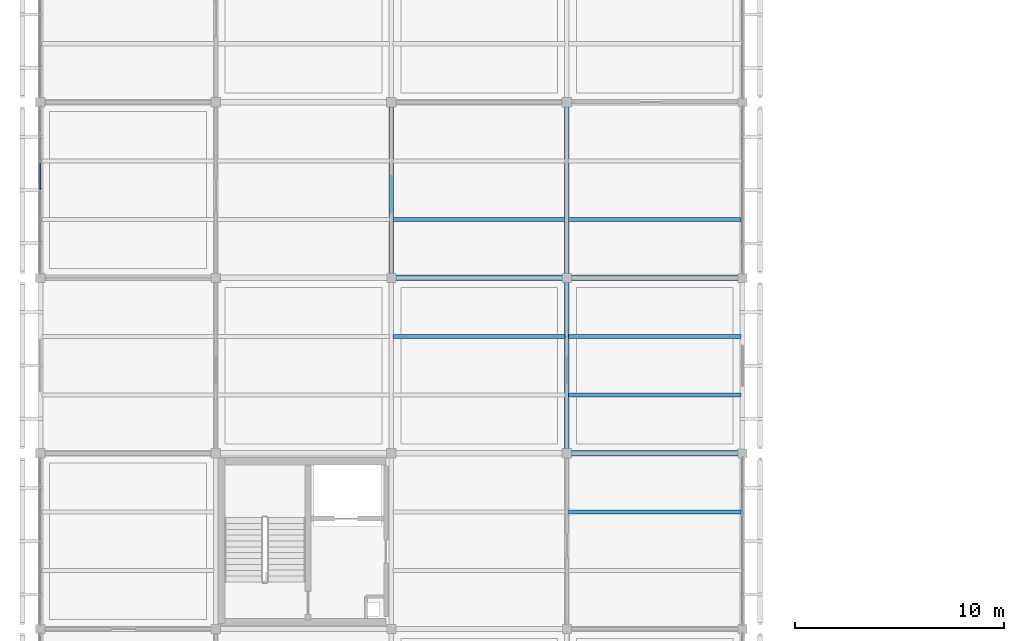
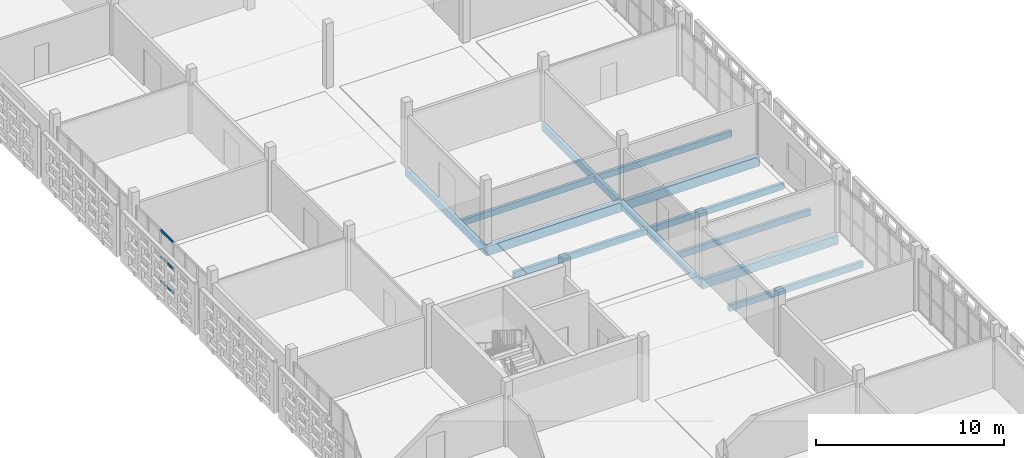
# One storey, part 40 of 140: 12 beams, 3 members, 1 element without a shape of its own.
"""IFC4 building model written with IfcOpenShell, lengths in metres."""

from ifc_helpers import new_model, si_unit, direction, frame, origin, origin_2d, place, context, subcontext, project, spatial, rectangle, extrude, material, layer, layer_set, material_profile, profile_set, type_object, element, aggregate, save


model = new_model("IFC4")

# Units and contexts
model_context = context("Model", 3, precision=1e-05, world=origin(), true_north=direction((0.0, 1.0)))
body_context = subcontext(model_context, "Body", "Model", "MODEL_VIEW")
ifc_project = project(units=[si_unit("LENGTHUNIT", "METRE"), si_unit("AREAUNIT", "SQUARE_METRE"), si_unit("VOLUMEUNIT", "CUBIC_METRE"), si_unit("PLANEANGLEUNIT", "RADIAN"), si_unit("MASSUNIT", "GRAM", prefix="KILO")], contexts=[model_context])

# Site, building, storey
site_placement = place(None, origin())
site = spatial("IfcSite", under=ifc_project, at=site_placement, CompositionType="ELEMENT")
building_placement = place(site_placement, origin())
building = spatial("IfcBuilding", under=site, at=building_placement, Name="Varnapada Polytechnic", CompositionType="ELEMENT")
storey_placement = place(building_placement, frame((0.0, 0.0, 13.800048828125)))
storey = spatial("IfcBuildingStorey", under=building, at=storey_placement, Name="L03", CompositionType="ELEMENT", Elevation=13.800048828125)

# Beams
ifc_material_1 = material(Name="Glulam GL32h", Category="wood")
ifc_material_profile_1 = material_profile(ifc_material_1, rectangle(XDim=0.199951171875, YDim=0.39990234375, at=origin_2d()), Name="GL 200x400")
ifc_profile_set_1 = profile_set([ifc_material_profile_1], Name="Glulam GL32h")
beam_type_1 = type_object("IfcBeamType", Name="Library/laboratory glulam floor joist GJ-01 (GL 200x400)", PredefinedType="JOIST", material=ifc_profile_set_1)
for number, where, z_axis, x_axis, name in (
    (1, (16.8798828125, 72.800048828125, -0.43994140625), (1.0, 0.0, 0.0), (0.0, 1.0, 0.0), "L03 floor joist 3/9.2"),
    (2, (16.8798828125, 78.39990234375, -0.43994140625), (1.0, 0.0, 0.0), (0.0, 1.0, 0.0), "L03 floor joist 3/10.1"),
):
    element("IfcBeam", number, at=place(storey_placement, frame(where, z_axis=z_axis, x_axis=x_axis)), inside=storey, type_object=beam_type_1, Name=name, PredefinedType="JOIST", context=body_context, shape_type="SweptSolid", body=[
        extrude(rectangle(XDim=0.199951171875, YDim=0.39990234375, at=origin_2d()), origin(), (0.0, 0.0, 1.0), 8.240234375),
    ])
for number, where, z_axis, x_axis, name in (
    (3, (25.280029296875, 64.39990234375, -0.43994140625), (1.0, 0.0, 0.0), (0.0, 1.0, 0.0), "L03 floor joist 4/8.2"),
    (4, (25.280029296875, 70.0, -0.43994140625), (1.0, 0.0, 0.0), (0.0, 1.0, 0.0), "L03 floor joist 4/9.1"),
    (5, (25.280029296875, 72.800048828125, -0.43994140625), (1.0, 0.0, 0.0), (0.0, 1.0, 0.0), "L03 floor joist 4/9.2"),
    (6, (25.280029296875, 78.39990234375, -0.43994140625), (1.0, 0.0, 0.0), (0.0, 1.0, 0.0), "L03 floor joist 4/10.1"),
):
    element("IfcBeam", number, at=place(storey_placement, frame(where, z_axis=z_axis, x_axis=x_axis)), inside=storey, type_object=beam_type_1, Name=name, PredefinedType="JOIST", context=body_context, shape_type="SweptSolid", body=[
        extrude(rectangle(XDim=0.199951171875, YDim=0.39990234375, at=origin_2d()), origin(), (0.0, 0.0, 1.0), 8.239990234375),
    ])
ifc_material_profile_2 = material_profile(ifc_material_1, rectangle(XDim=0.260009765625, YDim=0.60009765625, at=origin_2d()), Name="GL 260x600")
ifc_profile_set_2 = profile_set([ifc_material_profile_2], Name="Glulam GL32h")
beam_type_2 = type_object("IfcBeamType", Name="Seminar wing glulam girder GG-05 (GL 260x600)", PredefinedType="BEAM", material=ifc_profile_set_2)
beam_1_placement = place(storey_placement, frame((16.800048828125, 75.60009765625, -0.5400390625), z_axis=(1.0, 0.0, 0.0), x_axis=(0.0, 1.0, 0.0)))
element("IfcBeam", 7, at=beam_1_placement, inside=storey, type_object=beam_type_2, Name="L03 beam X 3-4 at Y10", PredefinedType="BEAM", context=body_context, shape_type="SweptSolid", body=[
    extrude(rectangle(XDim=0.260009765625, YDim=0.60009765625, at=origin_2d()), origin(), (0.0, 0.0, 1.0), 8.39990234375),
])
for number, where, z_axis, x_axis, name in (
    (8, (25.199951171875, 67.199951171875, -0.5400390625), (1.0, 0.0, 0.0), (0.0, 1.0, 0.0), "L03 beam X 4-5 at Y9"),
    (9, (25.199951171875, 75.60009765625, -0.5400390625), (1.0, 0.0, 0.0), (0.0, 1.0, 0.0), "L03 beam X 4-5 at Y10"),
):
    element("IfcBeam", number, at=place(storey_placement, frame(where, z_axis=z_axis, x_axis=x_axis)), inside=storey, type_object=beam_type_2, Name=name, PredefinedType="BEAM", context=body_context, shape_type="SweptSolid", body=[
        extrude(rectangle(XDim=0.260009765625, YDim=0.60009765625, at=origin_2d()), origin(), (0.0, 0.0, 1.0), 8.400146484375),
    ])

# Curtain wall, members
ifc_material_2 = material(Name="Double low-E laminated glass", Category="glass")
ifc_layer = layer(ifc_material_2, 0.179931640625)
ifc_layer_set = layer_set([ifc_layer], Name="Double low-E laminated glass")
curtain_wall_type = type_object("IfcCurtainWallType", Name="Curtain Wall CW-03", PredefinedType="NOTDEFINED", material=ifc_layer_set)
curtain_wall_placement = place(storey_placement, origin())
curtain_wall = element("IfcCurtainWall", 10, at=curtain_wall_placement, inside=storey, type_object=curtain_wall_type, Name="L03 unitised curtain wall CW-03 (207)", PredefinedType="NOTDEFINED")
ifc_material_3 = material(Name="Anodised aluminium", Category="aluminium")
ifc_material_profile_3 = material_profile(ifc_material_3, rectangle(XDim=0.06494140625, YDim=0.139892578125, at=origin_2d()), Name="ALU T65x140")
ifc_profile_set_3 = profile_set([ifc_material_profile_3], Name="Anodised aluminium")
member_type = type_object("IfcMemberType", Name="Transom T-02", PredefinedType="USERDEFINED", material=ifc_profile_set_3)
member_1_placement = place(storey_placement, frame((0.0, 79.827392578125, 0.032470703125), z_axis=(0.0, 1.0, 0.0), x_axis=(-1.0, 0.0, 0.0)))
member_1 = element("IfcMember", 11, at=member_1_placement, type_object=member_type, Name="CW-03 transom 4.1", ObjectType="TRANSOM", PredefinedType="USERDEFINED", context=body_context, shape_type="SweptSolid", body=[
    extrude(rectangle(XDim=0.06494140625, YDim=0.139892578125, at=origin_2d()), origin(), (0.0, 0.0, 1.0), 1.260009765625),
])
member_2_placement = place(storey_placement, frame((0.0, 79.827392578125, 1.61279296875), z_axis=(0.0, 1.0, 0.0), x_axis=(-1.0, 0.0, 0.0)))
member_2 = element("IfcMember", 12, at=member_2_placement, type_object=member_type, Name="CW-03 transom 4.2", ObjectType="TRANSOM", PredefinedType="USERDEFINED", context=body_context, shape_type="SweptSolid", body=[
    extrude(rectangle(XDim=0.06494140625, YDim=0.139892578125, at=origin_2d()), origin(), (0.0, 0.0, 1.0), 1.260009765625),
])
member_3_placement = place(storey_placement, frame((0.0, 79.827392578125, 3.327392578125), z_axis=(0.0, 1.0, 0.0), x_axis=(-1.0, 0.0, 0.0)))
member_3 = element("IfcMember", 13, at=member_3_placement, type_object=member_type, Name="CW-03 transom 4.3", ObjectType="TRANSOM", PredefinedType="USERDEFINED", context=body_context, shape_type="SweptSolid", body=[
    extrude(rectangle(XDim=0.06494140625, YDim=0.139892578125, at=origin_2d()), origin(), (0.0, 0.0, 1.0), 1.260009765625),
])
aggregate(curtain_wall, [member_1, member_2, member_3])

# Beams
ifc_material_profile_4 = material_profile(ifc_material_1, rectangle(XDim=0.219970703125, YDim=0.47998046875, at=origin_2d()), Name="GL 220x480")
ifc_profile_set_4 = profile_set([ifc_material_profile_4], Name="Glulam GL32h")
beam_type_3 = type_object("IfcBeamType", Name="Upper floor glulam tie beam GB-11 (GL 220x480)", PredefinedType="BEAM", material=ifc_profile_set_4)
beam_2_placement = place(storey_placement, frame((16.800048828125, 75.60009765625, -0.47998046875), z_axis=(0.0, 1.0, 0.0), x_axis=(-1.0, 0.0, 0.0)))
element("IfcBeam", 14, at=beam_2_placement, inside=storey, type_object=beam_type_3, Name="L03 beam Y 10-11 at X3", PredefinedType="BEAM", context=body_context, shape_type="SweptSolid", body=[
    extrude(rectangle(XDim=0.219970703125, YDim=0.47998046875, at=origin_2d()), origin(), (0.0, 0.0, 1.0), 8.39990234375),
])
beam_3_placement = place(storey_placement, frame((25.199951171875, 67.199951171875, -0.47998046875), z_axis=(0.0, 1.0, 0.0), x_axis=(-1.0, 0.0, 0.0)))
element("IfcBeam", 15, at=beam_3_placement, inside=storey, type_object=beam_type_3, Name="L03 beam Y 9-10 at X4", PredefinedType="BEAM", context=body_context, shape_type="SweptSolid", body=[
    extrude(rectangle(XDim=0.219970703125, YDim=0.47998046875, at=origin_2d()), origin(), (0.0, 0.0, 1.0), 8.400146484375),
])
beam_4_placement = place(storey_placement, frame((25.199951171875, 75.60009765625, -0.47998046875), z_axis=(0.0, 1.0, 0.0), x_axis=(-1.0, 0.0, 0.0)))
element("IfcBeam", 16, at=beam_4_placement, inside=storey, type_object=beam_type_3, Name="L03 beam Y 10-11 at X4", PredefinedType="BEAM", context=body_context, shape_type="SweptSolid", body=[
    extrude(rectangle(XDim=0.219970703125, YDim=0.47998046875, at=origin_2d()), origin(), (0.0, 0.0, 1.0), 8.39990234375),
])

save(model, "model.ifc")
